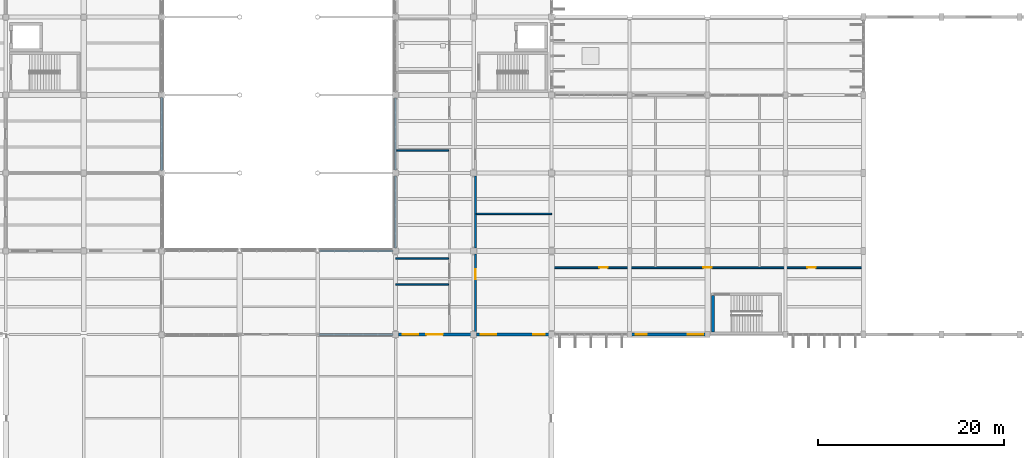
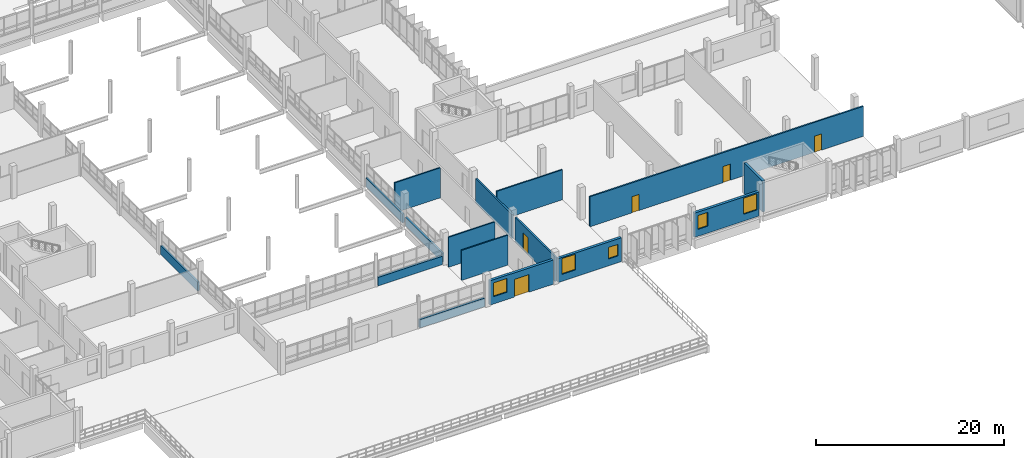
# One storey, part 85 of 101: 16 walls, 5 doors, 5 windows, 10 openings.
"""IFC4 building model written with IfcOpenShell, lengths in metres."""

from ifc_helpers import new_model, si_unit, direction, frame, frame_2d, origin, place, context, subcontext, project, spatial, rectangle, extrude, material, layer, layer_set, type_object, element, fill, save


model = new_model("IFC4")

# Units and contexts
model_context = context("Model", 3, precision=1e-05, world=origin(), true_north=direction((0.0, 1.0)))
body_context = subcontext(model_context, "Body", "Model", "MODEL_VIEW")
ifc_project = project(units=[si_unit("LENGTHUNIT", "METRE"), si_unit("AREAUNIT", "SQUARE_METRE"), si_unit("VOLUMEUNIT", "CUBIC_METRE"), si_unit("PLANEANGLEUNIT", "RADIAN"), si_unit("MASSUNIT", "GRAM", prefix="KILO")], contexts=[model_context])

# Site, building, storey
site_placement = place(None, origin())
site = spatial("IfcSite", under=ifc_project, at=site_placement, CompositionType="ELEMENT")
building_placement = place(site_placement, origin())
building = spatial("IfcBuilding", under=site, at=building_placement, Name="Vireocrest Preparatory School", CompositionType="ELEMENT")
storey_placement = place(building_placement, frame((0.0, 0.0, 4.800048828125)))
storey = spatial("IfcBuildingStorey", under=building, at=storey_placement, Name="L01", CompositionType="ELEMENT", Elevation=4.800048828125)

# Wall, opening, door
ifc_material_1 = material(Name="Gypsum board on cold-formed steel studs", Category="steel")
ifc_layer_1 = layer(ifc_material_1, 0.199951171875)
ifc_layer_set_1 = layer_set([ifc_layer_1], Name="Gypsum board on cold-formed steel studs")
wall_type_1 = type_object("IfcWallType", Name="Corridor One-Hour Fire Partition 200", PredefinedType="PARTITIONING", material=ifc_layer_set_1)
wall_1_placement = place(storey_placement, frame((101.0, 18.1650390625, 0.0), z_axis=(0.0, 0.0, 1.0), x_axis=(0.0, 1.0, 0.0)))
wall_1 = element("IfcWall", 1, at=wall_1_placement, inside=storey, type_object=wall_type_1, Name="Interior Partition W06 IW_L01_0177", PredefinedType="PARTITIONING", context=body_context, shape_type="SweptSolid", body=[
    extrude(rectangle(XDim=8.5, YDim=0.199951171875, at=frame_2d((4.25, 0.0))), origin(), (0.0, 0.0, 1.0), 3.199951171875),
])
opening_1_placement = place(wall_1_placement, frame((5.81005859375, 0.0, 0.0)))
opening_1 = element("IfcOpeningElement", 2, at=opening_1_placement, cuts=wall_1, Name="Opening D-L01-E1E01", PredefinedType="OPENING", context=body_context, shape_type="SweptSolid", body=[
    extrude(rectangle(XDim=1.050048828125, YDim=2.199951171875, at=frame_2d((0.52490234375, 1.10009765625))), frame((0.0, 0.10986328125, 0.0), z_axis=(0.0, -1.0, 0.0), x_axis=(1.0, 0.0, 0.0)), (0.0, 0.0, 1.0), 0.219970703125),
])
ifc_material_2 = material(Name="Painted galvanized hollow steel", Category="steel")
door_type_1 = type_object("IfcDoorType", Name="Laboratory Fire Door 1050x2200", OperationType="NOTDEFINED", PredefinedType="DOOR", material=ifc_material_2)
door_1_placement = place(opening_1_placement, origin())
door_1 = element("IfcDoor", 3, at=door_1_placement, inside=storey, type_object=door_type_1, Name="Interior Door D-L01-E1E01", OperationType="SINGLE_SWING_RIGHT", OverallHeight=2.199951171875, OverallWidth=1.050048828125, PredefinedType="DOOR", context=body_context, shape_type="SweptSolid", body=[
    extrude(rectangle(XDim=1.050048828125, YDim=2.199951171875, at=frame_2d((0.52490234375, 1.10009765625))), frame((0.0, 0.02490234375, 0.0), z_axis=(0.0, -1.0, 0.0), x_axis=(1.0, 0.0, 0.0)), (0.0, 0.0, 1.0), 0.050048828125),
])
fill(opening_1, door_1)

# Wall
wall_2_placement = place(storey_placement, frame((101.0, 27.3349609375, 0.0), z_axis=(0.0, 0.0, 1.0), x_axis=(0.0, 1.0, 0.0)))
element("IfcWall", 4, at=wall_2_placement, inside=storey, type_object=wall_type_1, Name="Interior Partition W06 IW_L01_0178", PredefinedType="PARTITIONING", context=body_context, shape_type="SweptSolid", body=[
    extrude(rectangle(XDim=7.72998046875, YDim=0.199951171875, at=frame_2d((3.864990234375, 0.0))), origin(), (0.0, 0.0, 1.0), 3.14990234375),
])

# Wall, openings, window, door
ifc_material_3 = material(Name="Precast white concrete 40 MPa", Category="concrete")
ifc_layer_2 = layer(ifc_material_3, 0.320068359375)
ifc_layer_set_2 = layer_set([ifc_layer_2], Name="Precast white concrete 40 MPa")
wall_type_2 = type_object("IfcWallType", Name="High-Tech Insulated Rainscreen External Wall 320", PredefinedType="SOLIDWALL", material=ifc_layer_set_2)
wall_3_placement = place(storey_placement, frame((92.699951171875, 18.0, 0.0), z_axis=(0.0, 0.0, 1.0), x_axis=(1.0, 0.0, 0.0)))
wall_3 = element("IfcWall", 5, at=wall_3_placement, inside=storey, type_object=wall_type_2, Name="External Wall W12 EW_L01_0136", PredefinedType="SOLIDWALL", context=body_context, shape_type="SweptSolid", body=[
    extrude(rectangle(XDim=7.800048828125, YDim=0.320068359375, at=frame_2d((3.89990234375, 0.0))), origin(), (0.0, 0.0, 1.0), 3.14990234375),
])
opening_2_placement = place(wall_3_placement, frame((4.800048828125, 0.0, 0.0), z_axis=(0.0, 0.0, 1.0), x_axis=(-1.0, 0.0, 0.0)))
opening_2 = element("IfcOpeningElement", 6, at=opening_2_placement, cuts=wall_3, Name="Opening TD-102", PredefinedType="OPENING", context=body_context, shape_type="SweptSolid", body=[
    extrude(rectangle(XDim=1.800048828125, YDim=2.300048828125, at=frame_2d((0.89990234375, 1.14990234375))), frame((0.0, 0.169921875, 0.0), z_axis=(0.0, -1.0, 0.0), x_axis=(1.0, 0.0, 0.0)), (0.0, 0.0, 1.0), 0.340087890625),
])
opening_3_placement = place(wall_3_placement, frame((0.449951171875, 0.0, 0.949951171875)))
opening_3 = element("IfcOpeningElement", 7, at=opening_3_placement, cuts=wall_3, Name="Opening WN05", PredefinedType="OPENING", context=body_context, shape_type="SweptSolid", body=[
    extrude(rectangle(XDim=1.679931640625, YDim=1.800048828125, at=frame_2d((0.83984375, 0.89990234375))), frame((0.0, 0.169921875, 0.0), z_axis=(0.0, -1.0, 0.0), x_axis=(1.0, 0.0, 0.0)), (0.0, 0.0, 1.0), 0.340087890625),
])
ifc_material_4 = material(Name="Thermally broken aluminium EN AW-6063-T6", Category="aluminium")
window_type_1 = type_object("IfcWindowType", Name="Module Classroom Window 1680x1800", PartitioningType="SINGLE_PANEL", PredefinedType="WINDOW", material=ifc_material_4)
window_1_placement = place(opening_3_placement, origin())
window_1 = element("IfcWindow", 8, at=window_1_placement, inside=storey, type_object=window_type_1, Name="Window W-L01-037 (WN05)", OverallHeight=1.800048828125, OverallWidth=1.679931640625, PartitioningType="SINGLE_PANEL", PredefinedType="WINDOW", context=body_context, shape_type="SweptSolid", body=[
    extrude(rectangle(XDim=1.679931640625, YDim=1.800048828125, at=frame_2d((0.83984375, 0.89990234375))), frame((0.0, 0.030029296875, 0.0), z_axis=(0.0, -1.0, 0.0), x_axis=(1.0, 0.0, 0.0)), (0.0, 0.0, 1.0), 0.06005859375),
])
fill(opening_3, window_1)
ifc_material_5 = material(Name="Thermally broken glazed aluminium", Category="aluminium")
door_type_2 = type_object("IfcDoorType", Name="Play Deck Glazed Double Door 1800x2300", OperationType="DOUBLE_DOOR_SINGLE_SWING", PredefinedType="DOOR", material=ifc_material_5)
door_2_placement = place(opening_2_placement, origin())
door_2 = element("IfcDoor", 9, at=door_2_placement, inside=storey, type_object=door_type_2, Name="First-Floor Rooftop Play Deck Door TD-102", OperationType="DOUBLE_DOOR_SINGLE_SWING", OverallHeight=2.300048828125, OverallWidth=1.800048828125, PredefinedType="DOOR", context=body_context, shape_type="SweptSolid", body=[
    extrude(rectangle(XDim=1.800048828125, YDim=2.300048828125, at=frame_2d((0.89990234375, 1.14990234375))), frame((0.0, 0.02490234375, 0.0), z_axis=(0.0, -1.0, 0.0), x_axis=(1.0, 0.0, 0.0)), (0.0, 0.0, 1.0), 0.050048828125),
])
fill(opening_2, door_2)

# Wall, openings, windows
wall_4_placement = place(storey_placement, frame((101.10009765625, 18.0, 0.0), z_axis=(0.0, 0.0, 1.0), x_axis=(1.0, 0.0, 0.0)))
wall_4 = element("IfcWall", 10, at=wall_4_placement, inside=storey, type_object=wall_type_2, Name="External Wall W12 EW_L01_0137", PredefinedType="SOLIDWALL", context=body_context, shape_type="SweptSolid", body=[
    extrude(rectangle(XDim=7.7998046875, YDim=0.320068359375, at=frame_2d((3.89990234375, 0.0))), origin(), (0.0, 0.0, 1.0), 3.099853515625),
])
opening_4_placement = place(wall_4_placement, frame((0.449951171875, 0.0, 0.89990234375)))
opening_4 = element("IfcOpeningElement", 11, at=opening_4_placement, cuts=wall_4, Name="Opening WN07", PredefinedType="OPENING", context=body_context, shape_type="SweptSolid", body=[
    extrude(rectangle(XDim=1.679931640625, YDim=2.050048828125, at=frame_2d((0.83984375, 1.02490234375))), frame((0.0, 0.169921875, 0.0), z_axis=(0.0, -1.0, 0.0), x_axis=(1.0, 0.0, 0.0)), (0.0, 0.0, 1.0), 0.340087890625),
])
opening_5_placement = place(wall_4_placement, frame((6.14990234375, 0.0, 0.89990234375)))
opening_5 = element("IfcOpeningElement", 12, at=opening_5_placement, cuts=wall_4, Name="Opening WN01", PredefinedType="OPENING", context=body_context, shape_type="SweptSolid", body=[
    extrude(rectangle(XDim=1.199951171875, YDim=1.5, at=frame_2d((0.60009765625, 0.75))), frame((0.0, 0.169921875, 0.0), z_axis=(0.0, -1.0, 0.0), x_axis=(1.0, 0.0, 0.0)), (0.0, 0.0, 1.0), 0.340087890625),
])
window_type_2 = type_object("IfcWindowType", Name="Module Lab Window 1680x2400", PartitioningType="SINGLE_PANEL", PredefinedType="WINDOW", material=ifc_material_4)
window_2_placement = place(opening_4_placement, origin())
window_2 = element("IfcWindow", 13, at=window_2_placement, inside=storey, type_object=window_type_2, Name="Window W-L01-038 (WN07)", OverallHeight=2.050048828125, OverallWidth=1.679931640625, PartitioningType="SINGLE_PANEL", PredefinedType="WINDOW", context=body_context, shape_type="SweptSolid", body=[
    extrude(rectangle(XDim=1.679931640625, YDim=2.050048828125, at=frame_2d((0.83984375, 1.02490234375))), frame((0.0, 0.030029296875, 0.0), z_axis=(0.0, -1.0, 0.0), x_axis=(1.0, 0.0, 0.0)), (0.0, 0.0, 1.0), 0.06005859375),
])
fill(opening_4, window_2)
window_type_3 = type_object("IfcWindowType", Name="Office Punched Window 1200x1500", PartitioningType="SINGLE_PANEL", PredefinedType="WINDOW", material=ifc_material_4)
window_3_placement = place(opening_5_placement, origin())
window_3 = element("IfcWindow", 14, at=window_3_placement, inside=storey, type_object=window_type_3, Name="Window W-L01-039 (WN01)", OverallHeight=1.5, OverallWidth=1.199951171875, PartitioningType="SINGLE_PANEL", PredefinedType="WINDOW", context=body_context, shape_type="SweptSolid", body=[
    extrude(rectangle(XDim=1.199951171875, YDim=1.5, at=frame_2d((0.60009765625, 0.75))), frame((0.0, 0.030029296875, 0.0), z_axis=(0.0, -1.0, 0.0), x_axis=(1.0, 0.0, 0.0)), (0.0, 0.0, 1.0), 0.06005859375),
])
fill(opening_5, window_3)

wall_5_placement = place(storey_placement, frame((117.824951171875, 18.0, 0.0), z_axis=(0.0, 0.0, 1.0), x_axis=(1.0, 0.0, 0.0)))
wall_5 = element("IfcWall", 15, at=wall_5_placement, inside=storey, type_object=wall_type_2, Name="External Wall W12 EW_L01_0139", PredefinedType="SOLIDWALL", context=body_context, shape_type="SweptSolid", body=[
    extrude(rectangle(XDim=7.949951171875, YDim=0.320068359375, at=frame_2d((3.97509765625, 0.0))), origin(), (0.0, 0.0, 1.0), 3.139892578125),
])
opening_6_placement = place(wall_5_placement, frame((0.449951171875, 0.0, 0.89990234375)))
opening_6 = element("IfcOpeningElement", 16, at=opening_6_placement, cuts=wall_5, Name="Opening WN02", PredefinedType="OPENING", context=body_context, shape_type="SweptSolid", body=[
    extrude(rectangle(XDim=1.199951171875, YDim=1.800048828125, at=frame_2d((0.60009765625, 0.89990234375))), frame((0.0, 0.169921875, 0.0), z_axis=(0.0, -1.0, 0.0), x_axis=(1.0, 0.0, 0.0)), (0.0, 0.0, 1.0), 0.340087890625),
])
opening_7_placement = place(wall_5_placement, frame((6.02001953125, 0.0, 0.89990234375)))
opening_7 = element("IfcOpeningElement", 17, at=opening_7_placement, cuts=wall_5, Name="Opening WN07", PredefinedType="OPENING", context=body_context, shape_type="SweptSolid", body=[
    extrude(rectangle(XDim=1.679931640625, YDim=2.090087890625, at=frame_2d((0.83984375, 1.044921875))), frame((0.0, 0.169921875, 0.0), z_axis=(0.0, -1.0, 0.0), x_axis=(1.0, 0.0, 0.0)), (0.0, 0.0, 1.0), 0.340087890625),
])
window_type_4 = type_object("IfcWindowType", Name="Counseling Window 1200x1800", PartitioningType="SINGLE_PANEL", PredefinedType="WINDOW", material=ifc_material_4)
window_4_placement = place(opening_6_placement, origin())
window_4 = element("IfcWindow", 18, at=window_4_placement, inside=storey, type_object=window_type_4, Name="Window W-L01-040 (WN02)", OverallHeight=1.800048828125, OverallWidth=1.199951171875, PartitioningType="SINGLE_PANEL", PredefinedType="WINDOW", context=body_context, shape_type="SweptSolid", body=[
    extrude(rectangle(XDim=1.199951171875, YDim=1.800048828125, at=frame_2d((0.60009765625, 0.89990234375))), frame((0.0, 0.030029296875, 0.0), z_axis=(0.0, -1.0, 0.0), x_axis=(1.0, 0.0, 0.0)), (0.0, 0.0, 1.0), 0.06005859375),
])
fill(opening_6, window_4)
window_5_placement = place(opening_7_placement, origin())
window_5 = element("IfcWindow", 19, at=window_5_placement, inside=storey, type_object=window_type_2, Name="Window W-L01-041 (WN07)", OverallHeight=2.090087890625, OverallWidth=1.679931640625, PartitioningType="SINGLE_PANEL", PredefinedType="WINDOW", context=body_context, shape_type="SweptSolid", body=[
    extrude(rectangle(XDim=1.679931640625, YDim=2.090087890625, at=frame_2d((0.83984375, 1.044921875))), frame((0.0, 0.030029296875, 0.0), z_axis=(0.0, -1.0, 0.0), x_axis=(1.0, 0.0, 0.0)), (0.0, 0.0, 1.0), 0.06005859375),
])
fill(opening_7, window_5)

# Walls
ifc_layer_3 = layer(ifc_material_1, 0.159912109375)
ifc_layer_set_3 = layer_set([ifc_layer_3], Name="Gypsum board on cold-formed steel studs")
wall_type_3 = type_object("IfcWallType", Name="Laboratory Wet-Service Partition Wall 160", PredefinedType="PARTITIONING", material=ifc_layer_set_3)
for number, where, z_axis, x_axis, name in (
    (20, (92.409912109375, 23.39990234375, 0.0), (0.0, 0.0, 1.0), (1.0, 0.0, 0.0), "Interior Partition W04 IW_L01_0167"),
    (21, (92.409912109375, 26.199951171875, 0.0), (0.0, 0.0, 1.0), (1.0, 0.0, 0.0), "Interior Partition W04 IW_L01_0168"),
):
    element("IfcWall", number, at=place(storey_placement, frame(where, z_axis=z_axis, x_axis=x_axis)), inside=storey, type_object=wall_type_3, Name=name, PredefinedType="PARTITIONING", context=body_context, shape_type="SweptSolid", body=[
        extrude(rectangle(XDim=5.68505859375, YDim=0.159912109375, at=frame_2d((2.842529296875, 0.0))), origin(), (0.0, 0.0, 1.0), 3.89990234375),
    ])
wall_6_placement = place(storey_placement, frame((92.52490234375, 37.800048828125, 0.0), z_axis=(0.0, 0.0, 1.0), x_axis=(1.0, 0.0, 0.0)))
element("IfcWall", 22, at=wall_6_placement, inside=storey, type_object=wall_type_3, Name="Interior Partition W04 IW_L01_0169", PredefinedType="PARTITIONING", context=body_context, shape_type="SweptSolid", body=[
    extrude(rectangle(XDim=5.570068359375, YDim=0.159912109375, at=frame_2d((2.78515625, 0.0))), origin(), (0.0, 0.0, 1.0), 3.89990234375),
])
wall_7_placement = place(storey_placement, frame((101.10498046875, 31.0, 0.0), z_axis=(0.0, 0.0, 1.0), x_axis=(1.0, 0.0, 0.0)))
element("IfcWall", 23, at=wall_7_placement, inside=storey, type_object=wall_type_3, Name="Interior Partition W04 IW_L01_0176", PredefinedType="PARTITIONING", context=body_context, shape_type="SweptSolid", body=[
    extrude(rectangle(XDim=8.0849609375, YDim=0.159912109375, at=frame_2d((4.04248046875, 0.0))), origin(), (0.0, 0.0, 1.0), 3.89990234375),
])

# Wall, openings, doors
ifc_layer_4 = layer(ifc_material_1, 0.179931640625)
ifc_layer_set_4 = layer_set([ifc_layer_4], Name="Gypsum board on cold-formed steel studs")
wall_type_4 = type_object("IfcWallType", Name="Music and Drama Double-Stud Partition 180", PredefinedType="PARTITIONING", material=ifc_layer_set_4)
wall_8_placement = place(storey_placement, frame((109.2099609375, 25.199951171875, 0.0), z_axis=(0.0, 0.0, 1.0), x_axis=(1.0, 0.0, 0.0)))
wall_8 = element("IfcWall", 24, at=wall_8_placement, inside=storey, type_object=wall_type_4, Name="Interior Partition W05 IW_L01_0187", PredefinedType="PARTITIONING", context=body_context, shape_type="SweptSolid", body=[
    extrude(rectangle(XDim=33.580078125, YDim=0.179931640625, at=frame_2d((16.7900390625, 0.0))), origin(), (0.0, 0.0, 1.0), 3.89990234375),
])
opening_8_placement = place(wall_8_placement, frame((5.139892578125, 0.0, 0.0)))
opening_8 = element("IfcOpeningElement", 25, at=opening_8_placement, cuts=wall_8, Name="Opening D-L01-PA101", PredefinedType="OPENING", context=body_context, shape_type="SweptSolid", body=[
    extrude(rectangle(XDim=0.89990234375, YDim=2.10009765625, at=frame_2d((0.449951171875, 1.050048828125))), frame((0.0, 0.099853515625, 0.0), z_axis=(0.0, -1.0, 0.0), x_axis=(1.0, 0.0, 0.0)), (0.0, 0.0, 1.0), 0.199951171875),
])
opening_9_placement = place(wall_8_placement, frame((16.340087890625, 0.0, 0.0)))
opening_9 = element("IfcOpeningElement", 26, at=opening_9_placement, cuts=wall_8, Name="Opening D-L01-PA102", PredefinedType="OPENING", context=body_context, shape_type="SweptSolid", body=[
    extrude(rectangle(XDim=0.89990234375, YDim=2.10009765625, at=frame_2d((0.449951171875, 1.050048828125))), frame((0.0, 0.099853515625, 0.0), z_axis=(0.0, -1.0, 0.0), x_axis=(1.0, 0.0, 0.0)), (0.0, 0.0, 1.0), 0.199951171875),
])
opening_10_placement = place(wall_8_placement, frame((27.5400390625, 0.0, 0.0)))
opening_10 = element("IfcOpeningElement", 27, at=opening_10_placement, cuts=wall_8, Name="Opening D-L01-PA103", PredefinedType="OPENING", context=body_context, shape_type="SweptSolid", body=[
    extrude(rectangle(XDim=0.89990234375, YDim=2.10009765625, at=frame_2d((0.449951171875, 1.050048828125))), frame((0.0, 0.099853515625, 0.0), z_axis=(0.0, -1.0, 0.0), x_axis=(1.0, 0.0, 0.0)), (0.0, 0.0, 1.0), 0.199951171875),
])
ifc_material_6 = material(Name="Solid-core architectural birch timber", Category="wood")
door_type_3 = type_object("IfcDoorType", Name="Office Timber Door 900x2100", OperationType="NOTDEFINED", PredefinedType="DOOR", material=ifc_material_6)
door_3_placement = place(opening_8_placement, origin())
door_3 = element("IfcDoor", 28, at=door_3_placement, inside=storey, type_object=door_type_3, Name="Interior Door D-L01-PA101", OperationType="SINGLE_SWING_LEFT", OverallHeight=2.10009765625, OverallWidth=0.89990234375, PredefinedType="DOOR", context=body_context, shape_type="SweptSolid", body=[
    extrude(rectangle(XDim=0.89990234375, YDim=2.10009765625, at=frame_2d((0.449951171875, 1.050048828125))), frame((0.0, 0.02490234375, 0.0), z_axis=(0.0, -1.0, 0.0), x_axis=(1.0, 0.0, 0.0)), (0.0, 0.0, 1.0), 0.050048828125),
])
fill(opening_8, door_3)
door_4_placement = place(opening_9_placement, origin())
door_4 = element("IfcDoor", 29, at=door_4_placement, inside=storey, type_object=door_type_3, Name="Interior Door D-L01-PA102", OperationType="SINGLE_SWING_RIGHT", OverallHeight=2.10009765625, OverallWidth=0.89990234375, PredefinedType="DOOR", context=body_context, shape_type="SweptSolid", body=[
    extrude(rectangle(XDim=0.89990234375, YDim=2.10009765625, at=frame_2d((0.449951171875, 1.050048828125))), frame((0.0, 0.02490234375, 0.0), z_axis=(0.0, -1.0, 0.0), x_axis=(1.0, 0.0, 0.0)), (0.0, 0.0, 1.0), 0.050048828125),
])
fill(opening_9, door_4)
door_5_placement = place(opening_10_placement, origin())
door_5 = element("IfcDoor", 30, at=door_5_placement, inside=storey, type_object=door_type_3, Name="Interior Door D-L01-PA103", OperationType="SINGLE_SWING_LEFT", OverallHeight=2.10009765625, OverallWidth=0.89990234375, PredefinedType="DOOR", context=body_context, shape_type="SweptSolid", body=[
    extrude(rectangle(XDim=0.89990234375, YDim=2.10009765625, at=frame_2d((0.449951171875, 1.050048828125))), frame((0.0, 0.02490234375, 0.0), z_axis=(0.0, -1.0, 0.0), x_axis=(1.0, 0.0, 0.0)), (0.0, 0.0, 1.0), 0.050048828125),
])
fill(opening_10, door_5)

# Walls
ifc_material_7 = material(Name="Concrete 45 MPa", Category="concrete")
ifc_layer_5 = layer(ifc_material_7, 0.300048828125)
ifc_layer_set_5 = layer_set([ifc_layer_5], Name="Concrete 45 MPa")
wall_type_5 = type_object("IfcWallType", Name="Two-Hour RC Stair Shaft Shear Wall 300", PredefinedType="SHEAR", material=ifc_layer_set_5)
wall_9_placement = place(storey_placement, frame((126.60009765625, 18.300048828125, 0.0), z_axis=(0.0, 0.0, 1.0), x_axis=(0.0, 1.0, 0.0)))
element("IfcWall", 31, at=wall_9_placement, inside=storey, type_object=wall_type_5, Name="Stair Core Shear Wall ST6 L01-W", PredefinedType="SHEAR", context=body_context, shape_type="SweptSolid", body=[
    extrude(rectangle(XDim=3.89990234375, YDim=0.300048828125, at=frame_2d((1.949951171875, 0.0))), origin(), (0.0, 0.0, 1.0), 4.02490234375),
])
ifc_layer_6 = layer(ifc_material_3, 0.239990234375)
ifc_layer_set_6 = layer_set([ifc_layer_6], Name="Precast white concrete 40 MPa")
wall_type_6 = type_object("IfcWallType", Name="White Precast Courtyard Spandrel Wall 240", PredefinedType="SOLIDWALL", material=ifc_layer_set_6)
wall_10_placement = place(storey_placement, frame((84.12744140625, 18.0, 0.0), z_axis=(0.0, 0.0, 1.0), x_axis=(1.0, 0.0, 0.0)))
element("IfcWall", 32, at=wall_10_placement, inside=storey, type_object=wall_type_6, Name="External Wall W08 EW_L01_0203", PredefinedType="SOLIDWALL", context=body_context, shape_type="SweptSolid", body=[
    extrude(rectangle(XDim=7.97265625, YDim=0.239990234375, at=frame_2d((3.986328125, 0.0))), origin(), (0.0, 0.0, 1.0), 1.099853515625),
])
wall_11_placement = place(storey_placement, frame((67.199951171875, 35.675048828125, 0.0), z_axis=(0.0, 0.0, 1.0), x_axis=(0.0, 1.0, 0.0)))
element("IfcWall", 33, at=wall_11_placement, inside=storey, type_object=wall_type_6, Name="External Wall W08 EW_L01_0205", PredefinedType="SOLIDWALL", context=body_context, shape_type="SweptSolid", body=[
    extrude(rectangle(XDim=7.849853515625, YDim=0.239990234375, at=frame_2d((3.9248046875, 0.0))), origin(), (0.0, 0.0, 1.0), 1.14990234375),
])
for number, where, z_axis, x_axis, name in (
    (34, (92.39990234375, 27.300048828125, 0.0), (0.0, 0.0, 1.0), (0.0, 1.0, 0.0), "External Wall W08 EW_L01_0214"),
    (35, (92.39990234375, 35.699951171875, 0.0), (0.0, 0.0, 1.0), (0.0, 1.0, 0.0), "External Wall W08 EW_L01_0215"),
):
    element("IfcWall", number, at=place(storey_placement, frame(where, z_axis=z_axis, x_axis=x_axis)), inside=storey, type_object=wall_type_6, Name=name, PredefinedType="SOLIDWALL", context=body_context, shape_type="SweptSolid", body=[
        extrude(rectangle(XDim=7.800048828125, YDim=0.239990234375, at=frame_2d((3.89990234375, 0.0))), origin(), (0.0, 0.0, 1.0), 1.14990234375),
    ])
wall_12_placement = place(storey_placement, frame((84.20361328125, 27.0, 0.0), z_axis=(0.0, 0.0, 1.0), x_axis=(1.0, 0.0, 0.0)))
element("IfcWall", 36, at=wall_12_placement, inside=storey, type_object=wall_type_6, Name="External Wall W08 EW_L01_0223", PredefinedType="SOLIDWALL", context=body_context, shape_type="SweptSolid", body=[
    extrude(rectangle(XDim=7.896484375, YDim=0.239990234375, at=frame_2d((3.9482421875, 0.0))), origin(), (0.0, 0.0, 1.0), 1.099853515625),
])

save(model, "model.ifc")
